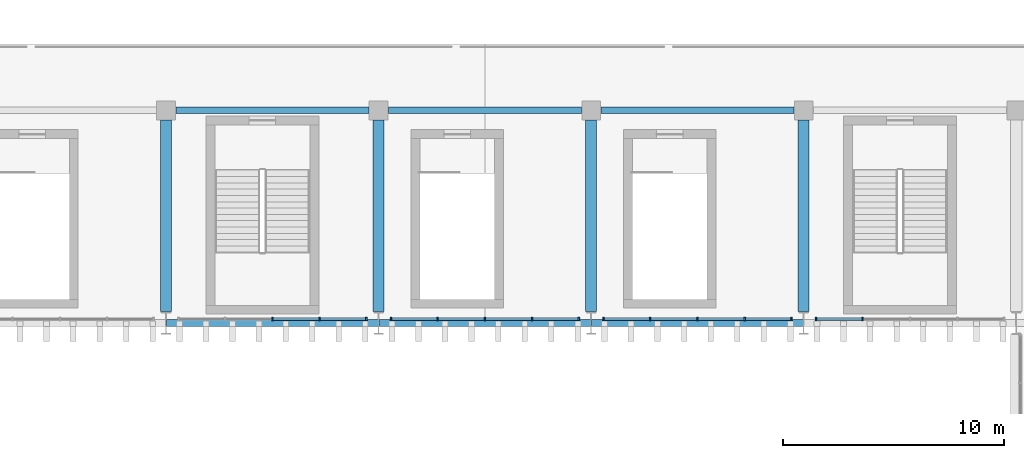
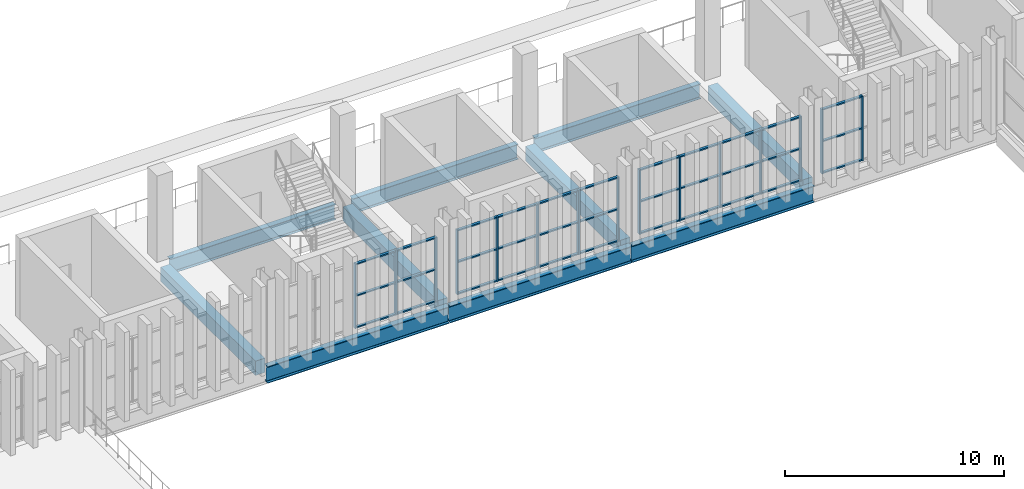
# One storey, part 22 of 99: 48 members, 10 beams, 4 elements without a shape of their own.
"""IFC4 building model written with IfcOpenShell, lengths in metres."""

from ifc_helpers import new_model, si_unit, direction, frame, origin, origin_2d, place, context, subcontext, project, spatial, rectangle, i_section, extrude, material, layer, layer_set, material_profile, profile_set, type_object, element, aggregate, save


model = new_model("IFC4")

# Units and contexts
model_context = context("Model", 3, precision=1e-05, world=origin(), true_north=direction((0.0, 1.0)))
body_context = subcontext(model_context, "Body", "Model", "MODEL_VIEW")
ifc_project = project(units=[si_unit("LENGTHUNIT", "METRE"), si_unit("AREAUNIT", "SQUARE_METRE"), si_unit("VOLUMEUNIT", "CUBIC_METRE"), si_unit("PLANEANGLEUNIT", "RADIAN"), si_unit("MASSUNIT", "GRAM", prefix="KILO")], contexts=[model_context])

# Site, building, storey
site_placement = place(None, origin())
site = spatial("IfcSite", under=ifc_project, at=site_placement, CompositionType="ELEMENT")
building_placement = place(site_placement, origin())
building = spatial("IfcBuilding", under=site, at=building_placement, Name="Caelomonte Colonnade Arena", CompositionType="ELEMENT")
storey_placement = place(building_placement, frame((0.0, 0.0, 4.800048828125)))
storey = spatial("IfcBuildingStorey", under=building, at=storey_placement, Name="L01", CompositionType="ELEMENT", Elevation=4.800048828125)

# Curtain wall, members
ifc_material_1 = material(Name="Bronze anodised aluminium and low-E glazing", Category="aluminium")
ifc_layer = layer(ifc_material_1, 0.179931640625)
ifc_layer_set = layer_set([ifc_layer], Name="Bronze anodised aluminium and low-E glazing")
curtain_wall_type = type_object("IfcCurtainWallType", Name="ENV-CW-CW-L01-96-36", PredefinedType="USERDEFINED", material=ifc_layer_set)
curtain_wall_1_placement = place(storey_placement, origin())
curtain_wall_1 = element("IfcCurtainWall", 1, at=curtain_wall_1_placement, inside=storey, type_object=curtain_wall_type, Name="L01 unitized curtain wall CW-L01-1008-0194", ObjectType="UNITIZED CURTAIN WALL", PredefinedType="USERDEFINED")
ifc_material_2 = material(Name="Bronze anodised aluminium AA6063-T6", Category="aluminium")
ifc_material_profile_1 = material_profile(ifc_material_2, rectangle(XDim=0.070068359375, YDim=0.179931640625, at=origin_2d()), Name="CWM-70X180")
ifc_profile_set_1 = profile_set([ifc_material_profile_1], Name="Bronze anodised aluminium AA6063-T6")
member_type_1 = type_object("IfcMemberType", Name="ENV-CW-MULL1", PredefinedType="MULLION", material=ifc_profile_set_1)
member_1_placement = place(storey_placement, frame((100.800048828125, 19.3798828125, 0.0), z_axis=(0.0, 0.0, 1.0), x_axis=(1.0, 0.0, 0.0)))
member_1 = element("IfcMember", 2, at=member_1_placement, type_object=member_type_1, Name="CW-L01-96-36 mullion 3", PredefinedType="MULLION", context=body_context, shape_type="SweptSolid", body=[
    extrude(rectangle(XDim=0.070068359375, YDim=0.179931640625, at=origin_2d()), origin(), (0.0, 0.0, 1.0), 3.593017578125),
])
member_2_placement = place(storey_placement, frame((102.937255859375, 19.3798828125, 0.0), z_axis=(0.0, 0.0, 1.0), x_axis=(1.0, 0.0, 0.0)))
member_2 = element("IfcMember", 3, at=member_2_placement, type_object=member_type_1, Name="CW-L01-96-36 mullion 4", PredefinedType="MULLION", context=body_context, shape_type="SweptSolid", body=[
    extrude(rectangle(XDim=0.070068359375, YDim=0.179931640625, at=origin_2d()), origin(), (0.0, 0.0, 1.0), 3.593017578125),
])
member_3_placement = place(storey_placement, frame((105.03955078125, 19.3798828125, 0.0), z_axis=(0.0, 0.0, 1.0), x_axis=(1.0, 0.0, 0.0)))
member_3 = element("IfcMember", 4, at=member_3_placement, type_object=member_type_1, Name="CW-L01-96-36 mullion 5", PredefinedType="MULLION", context=body_context, shape_type="SweptSolid", body=[
    extrude(rectangle(XDim=0.070068359375, YDim=0.179931640625, at=origin_2d()), origin(), (0.0, 0.0, 1.0), 3.593017578125),
])

curtain_wall_2_placement = place(storey_placement, origin())
curtain_wall_2 = element("IfcCurtainWall", 5, at=curtain_wall_2_placement, inside=storey, type_object=curtain_wall_type, Name="L01 unitized curtain wall CW-L01-1104-0194", ObjectType="UNITIZED CURTAIN WALL", PredefinedType="USERDEFINED")
member_4_placement = place(storey_placement, frame((106.160400390625, 19.3798828125, 0.0), z_axis=(0.0, 0.0, 1.0), x_axis=(1.0, 0.0, 0.0)))
member_4 = element("IfcMember", 6, at=member_4_placement, type_object=member_type_1, Name="CW-L01-96-36 mullion 1", PredefinedType="MULLION", context=body_context, shape_type="SweptSolid", body=[
    extrude(rectangle(XDim=0.070068359375, YDim=0.179931640625, at=origin_2d()), origin(), (0.0, 0.0, 1.0), 3.593017578125),
])
member_5_placement = place(storey_placement, frame((108.2626953125, 19.3798828125, 0.0), z_axis=(0.0, 0.0, 1.0), x_axis=(1.0, 0.0, 0.0)))
member_5 = element("IfcMember", 7, at=member_5_placement, type_object=member_type_1, Name="CW-L01-96-36 mullion 2", PredefinedType="MULLION", context=body_context, shape_type="SweptSolid", body=[
    extrude(rectangle(XDim=0.070068359375, YDim=0.179931640625, at=origin_2d()), origin(), (0.0, 0.0, 1.0), 3.593017578125),
])
member_6_placement = place(storey_placement, frame((110.39990234375, 19.3798828125, 0.0), z_axis=(0.0, 0.0, 1.0), x_axis=(1.0, 0.0, 0.0)))
member_6 = element("IfcMember", 8, at=member_6_placement, type_object=member_type_1, Name="CW-L01-96-36 mullion 3", PredefinedType="MULLION", context=body_context, shape_type="SweptSolid", body=[
    extrude(rectangle(XDim=0.070068359375, YDim=0.179931640625, at=origin_2d()), origin(), (0.0, 0.0, 1.0), 3.593017578125),
])
member_7_placement = place(storey_placement, frame((112.537353515625, 19.3798828125, 0.0), z_axis=(0.0, 0.0, 1.0), x_axis=(1.0, 0.0, 0.0)))
member_7 = element("IfcMember", 9, at=member_7_placement, type_object=member_type_1, Name="CW-L01-96-36 mullion 4", PredefinedType="MULLION", context=body_context, shape_type="SweptSolid", body=[
    extrude(rectangle(XDim=0.070068359375, YDim=0.179931640625, at=origin_2d()), origin(), (0.0, 0.0, 1.0), 3.593017578125),
])
member_8_placement = place(storey_placement, frame((114.639404296875, 19.3798828125, 0.0), z_axis=(0.0, 0.0, 1.0), x_axis=(1.0, 0.0, 0.0)))
member_8 = element("IfcMember", 10, at=member_8_placement, type_object=member_type_1, Name="CW-L01-96-36 mullion 5", PredefinedType="MULLION", context=body_context, shape_type="SweptSolid", body=[
    extrude(rectangle(XDim=0.070068359375, YDim=0.179931640625, at=origin_2d()), origin(), (0.0, 0.0, 1.0), 3.593017578125),
])

curtain_wall_3_placement = place(storey_placement, origin())
curtain_wall_3 = element("IfcCurtainWall", 11, at=curtain_wall_3_placement, inside=storey, type_object=curtain_wall_type, Name="L01 unitized curtain wall CW-L01-1200-0194", ObjectType="UNITIZED CURTAIN WALL", PredefinedType="USERDEFINED")
member_9_placement = place(storey_placement, frame((115.760498046875, 19.3798828125, 0.0), z_axis=(0.0, 0.0, 1.0), x_axis=(1.0, 0.0, 0.0)))
member_9 = element("IfcMember", 12, at=member_9_placement, type_object=member_type_1, Name="CW-L01-96-36 mullion 1", PredefinedType="MULLION", context=body_context, shape_type="SweptSolid", body=[
    extrude(rectangle(XDim=0.070068359375, YDim=0.179931640625, at=origin_2d()), origin(), (0.0, 0.0, 1.0), 3.593017578125),
])
member_10_placement = place(storey_placement, frame((117.86279296875, 19.3798828125, 0.0), z_axis=(0.0, 0.0, 1.0), x_axis=(1.0, 0.0, 0.0)))
member_10 = element("IfcMember", 13, at=member_10_placement, type_object=member_type_1, Name="CW-L01-96-36 mullion 2", PredefinedType="MULLION", context=body_context, shape_type="SweptSolid", body=[
    extrude(rectangle(XDim=0.070068359375, YDim=0.179931640625, at=origin_2d()), origin(), (0.0, 0.0, 1.0), 3.593017578125),
])
member_11_placement = place(storey_placement, frame((120.0, 19.3798828125, 0.0), z_axis=(0.0, 0.0, 1.0), x_axis=(1.0, 0.0, 0.0)))
member_11 = element("IfcMember", 14, at=member_11_placement, type_object=member_type_1, Name="CW-L01-96-36 mullion 3", PredefinedType="MULLION", context=body_context, shape_type="SweptSolid", body=[
    extrude(rectangle(XDim=0.070068359375, YDim=0.179931640625, at=origin_2d()), origin(), (0.0, 0.0, 1.0), 3.593017578125),
])
member_12_placement = place(storey_placement, frame((122.13720703125, 19.3798828125, 0.0), z_axis=(0.0, 0.0, 1.0), x_axis=(1.0, 0.0, 0.0)))
member_12 = element("IfcMember", 15, at=member_12_placement, type_object=member_type_1, Name="CW-L01-96-36 mullion 4", PredefinedType="MULLION", context=body_context, shape_type="SweptSolid", body=[
    extrude(rectangle(XDim=0.070068359375, YDim=0.179931640625, at=origin_2d()), origin(), (0.0, 0.0, 1.0), 3.593017578125),
])
member_13_placement = place(storey_placement, frame((124.239501953125, 19.3798828125, 0.0), z_axis=(0.0, 0.0, 1.0), x_axis=(1.0, 0.0, 0.0)))
member_13 = element("IfcMember", 16, at=member_13_placement, type_object=member_type_1, Name="CW-L01-96-36 mullion 5", PredefinedType="MULLION", context=body_context, shape_type="SweptSolid", body=[
    extrude(rectangle(XDim=0.070068359375, YDim=0.179931640625, at=origin_2d()), origin(), (0.0, 0.0, 1.0), 3.593017578125),
])

curtain_wall_4_placement = place(storey_placement, origin())
curtain_wall_4 = element("IfcCurtainWall", 17, at=curtain_wall_4_placement, inside=storey, type_object=curtain_wall_type, Name="L01 unitized curtain wall CW-L01-1296-0194", ObjectType="UNITIZED CURTAIN WALL", PredefinedType="USERDEFINED")
member_14_placement = place(storey_placement, frame((125.360595703125, 19.3798828125, 0.0), z_axis=(0.0, 0.0, 1.0), x_axis=(1.0, 0.0, 0.0)))
member_14 = element("IfcMember", 18, at=member_14_placement, type_object=member_type_1, Name="CW-L01-96-36 mullion 1", PredefinedType="MULLION", context=body_context, shape_type="SweptSolid", body=[
    extrude(rectangle(XDim=0.070068359375, YDim=0.179931640625, at=origin_2d()), origin(), (0.0, 0.0, 1.0), 3.593017578125),
])
member_15_placement = place(storey_placement, frame((127.462646484375, 19.3798828125, 0.0), z_axis=(0.0, 0.0, 1.0), x_axis=(1.0, 0.0, 0.0)))
member_15 = element("IfcMember", 19, at=member_15_placement, type_object=member_type_1, Name="CW-L01-96-36 mullion 2", PredefinedType="MULLION", context=body_context, shape_type="SweptSolid", body=[
    extrude(rectangle(XDim=0.070068359375, YDim=0.179931640625, at=origin_2d()), origin(), (0.0, 0.0, 1.0), 3.593017578125),
])

# Member
ifc_material_profile_2 = material_profile(ifc_material_2, rectangle(XDim=0.070068359375, YDim=0.139892578125, at=origin_2d()), Name="CWT-70X140")
ifc_profile_set_2 = profile_set([ifc_material_profile_2], Name="Bronze anodised aluminium AA6063-T6")
member_type_2 = type_object("IfcMemberType", Name="ENV-CW-TRAN1", PredefinedType="USERDEFINED", material=ifc_profile_set_2)
member_16_placement = place(storey_placement, frame((100.8349609375, 19.3798828125, 0.034912109375), z_axis=(1.0, 0.0, 0.0), x_axis=(0.0, 0.0, 1.0)))
member_16 = element("IfcMember", 20, at=member_16_placement, type_object=member_type_2, Name="CW-L01-96-36 transom 3.1", ObjectType="TRANSOM", PredefinedType="USERDEFINED", context=body_context, shape_type="SweptSolid", body=[
    extrude(rectangle(XDim=0.070068359375, YDim=0.139892578125, at=origin_2d()), origin(), (0.0, 0.0, 1.0), 2.0673828125),
])

member_17_placement = place(storey_placement, frame((100.8349609375, 19.3798828125, 1.79638671875), z_axis=(1.0, 0.0, 0.0), x_axis=(0.0, 0.0, 1.0)))
member_17 = element("IfcMember", 21, at=member_17_placement, type_object=member_type_2, Name="CW-L01-96-36 transom 3.2", ObjectType="TRANSOM", PredefinedType="USERDEFINED", context=body_context, shape_type="SweptSolid", body=[
    extrude(rectangle(XDim=0.070068359375, YDim=0.139892578125, at=origin_2d()), origin(), (0.0, 0.0, 1.0), 2.0673828125),
])

member_18_placement = place(storey_placement, frame((100.8349609375, 19.3798828125, 3.557861328125), z_axis=(1.0, 0.0, 0.0), x_axis=(0.0, 0.0, 1.0)))
member_18 = element("IfcMember", 22, at=member_18_placement, type_object=member_type_2, Name="CW-L01-96-36 transom 3.3", ObjectType="TRANSOM", PredefinedType="USERDEFINED", context=body_context, shape_type="SweptSolid", body=[
    extrude(rectangle(XDim=0.070068359375, YDim=0.139892578125, at=origin_2d()), origin(), (0.0, 0.0, 1.0), 2.0673828125),
])

member_19_placement = place(storey_placement, frame((102.97216796875, 19.3798828125, 0.034912109375), z_axis=(1.0, 0.0, 0.0), x_axis=(0.0, 0.0, 1.0)))
member_19 = element("IfcMember", 23, at=member_19_placement, type_object=member_type_2, Name="CW-L01-96-36 transom 4.1", ObjectType="TRANSOM", PredefinedType="USERDEFINED", context=body_context, shape_type="SweptSolid", body=[
    extrude(rectangle(XDim=0.070068359375, YDim=0.139892578125, at=origin_2d()), origin(), (0.0, 0.0, 1.0), 2.0322265625),
])

member_20_placement = place(storey_placement, frame((102.97216796875, 19.3798828125, 1.79638671875), z_axis=(1.0, 0.0, 0.0), x_axis=(0.0, 0.0, 1.0)))
member_20 = element("IfcMember", 24, at=member_20_placement, type_object=member_type_2, Name="CW-L01-96-36 transom 4.2", ObjectType="TRANSOM", PredefinedType="USERDEFINED", context=body_context, shape_type="SweptSolid", body=[
    extrude(rectangle(XDim=0.070068359375, YDim=0.139892578125, at=origin_2d()), origin(), (0.0, 0.0, 1.0), 2.0322265625),
])

member_21_placement = place(storey_placement, frame((102.97216796875, 19.3798828125, 3.557861328125), z_axis=(1.0, 0.0, 0.0), x_axis=(0.0, 0.0, 1.0)))
member_21 = element("IfcMember", 25, at=member_21_placement, type_object=member_type_2, Name="CW-L01-96-36 transom 4.3", ObjectType="TRANSOM", PredefinedType="USERDEFINED", context=body_context, shape_type="SweptSolid", body=[
    extrude(rectangle(XDim=0.070068359375, YDim=0.139892578125, at=origin_2d()), origin(), (0.0, 0.0, 1.0), 2.0322265625),
])

aggregate(curtain_wall_1, [member_1, member_2, member_3, member_16, member_17, member_18, member_19, member_20, member_21])

member_22_placement = place(storey_placement, frame((106.195556640625, 19.3798828125, 0.034912109375), z_axis=(1.0, 0.0, 0.0), x_axis=(0.0, 0.0, 1.0)))
member_22 = element("IfcMember", 26, at=member_22_placement, type_object=member_type_2, Name="CW-L01-96-36 transom 1.1", ObjectType="TRANSOM", PredefinedType="USERDEFINED", context=body_context, shape_type="SweptSolid", body=[
    extrude(rectangle(XDim=0.070068359375, YDim=0.139892578125, at=origin_2d()), origin(), (0.0, 0.0, 1.0), 2.0322265625),
])

member_23_placement = place(storey_placement, frame((106.195556640625, 19.3798828125, 1.79638671875), z_axis=(1.0, 0.0, 0.0), x_axis=(0.0, 0.0, 1.0)))
member_23 = element("IfcMember", 27, at=member_23_placement, type_object=member_type_2, Name="CW-L01-96-36 transom 1.2", ObjectType="TRANSOM", PredefinedType="USERDEFINED", context=body_context, shape_type="SweptSolid", body=[
    extrude(rectangle(XDim=0.070068359375, YDim=0.139892578125, at=origin_2d()), origin(), (0.0, 0.0, 1.0), 2.0322265625),
])

member_24_placement = place(storey_placement, frame((106.195556640625, 19.3798828125, 3.557861328125), z_axis=(1.0, 0.0, 0.0), x_axis=(0.0, 0.0, 1.0)))
member_24 = element("IfcMember", 28, at=member_24_placement, type_object=member_type_2, Name="CW-L01-96-36 transom 1.3", ObjectType="TRANSOM", PredefinedType="USERDEFINED", context=body_context, shape_type="SweptSolid", body=[
    extrude(rectangle(XDim=0.070068359375, YDim=0.139892578125, at=origin_2d()), origin(), (0.0, 0.0, 1.0), 2.0322265625),
])

member_25_placement = place(storey_placement, frame((108.2978515625, 19.3798828125, 0.034912109375), z_axis=(1.0, 0.0, 0.0), x_axis=(0.0, 0.0, 1.0)))
member_25 = element("IfcMember", 29, at=member_25_placement, type_object=member_type_2, Name="CW-L01-96-36 transom 2.1", ObjectType="TRANSOM", PredefinedType="USERDEFINED", context=body_context, shape_type="SweptSolid", body=[
    extrude(rectangle(XDim=0.070068359375, YDim=0.139892578125, at=origin_2d()), origin(), (0.0, 0.0, 1.0), 2.067138671875),
])

member_26_placement = place(storey_placement, frame((108.2978515625, 19.3798828125, 1.79638671875), z_axis=(1.0, 0.0, 0.0), x_axis=(0.0, 0.0, 1.0)))
member_26 = element("IfcMember", 30, at=member_26_placement, type_object=member_type_2, Name="CW-L01-96-36 transom 2.2", ObjectType="TRANSOM", PredefinedType="USERDEFINED", context=body_context, shape_type="SweptSolid", body=[
    extrude(rectangle(XDim=0.070068359375, YDim=0.139892578125, at=origin_2d()), origin(), (0.0, 0.0, 1.0), 2.067138671875),
])

member_27_placement = place(storey_placement, frame((108.2978515625, 19.3798828125, 3.557861328125), z_axis=(1.0, 0.0, 0.0), x_axis=(0.0, 0.0, 1.0)))
member_27 = element("IfcMember", 31, at=member_27_placement, type_object=member_type_2, Name="CW-L01-96-36 transom 2.3", ObjectType="TRANSOM", PredefinedType="USERDEFINED", context=body_context, shape_type="SweptSolid", body=[
    extrude(rectangle(XDim=0.070068359375, YDim=0.139892578125, at=origin_2d()), origin(), (0.0, 0.0, 1.0), 2.067138671875),
])

member_28_placement = place(storey_placement, frame((110.43505859375, 19.3798828125, 0.034912109375), z_axis=(1.0, 0.0, 0.0), x_axis=(0.0, 0.0, 1.0)))
member_28 = element("IfcMember", 32, at=member_28_placement, type_object=member_type_2, Name="CW-L01-96-36 transom 3.1", ObjectType="TRANSOM", PredefinedType="USERDEFINED", context=body_context, shape_type="SweptSolid", body=[
    extrude(rectangle(XDim=0.070068359375, YDim=0.139892578125, at=origin_2d()), origin(), (0.0, 0.0, 1.0), 2.067138671875),
])

member_29_placement = place(storey_placement, frame((110.43505859375, 19.3798828125, 1.79638671875), z_axis=(1.0, 0.0, 0.0), x_axis=(0.0, 0.0, 1.0)))
member_29 = element("IfcMember", 33, at=member_29_placement, type_object=member_type_2, Name="CW-L01-96-36 transom 3.2", ObjectType="TRANSOM", PredefinedType="USERDEFINED", context=body_context, shape_type="SweptSolid", body=[
    extrude(rectangle(XDim=0.070068359375, YDim=0.139892578125, at=origin_2d()), origin(), (0.0, 0.0, 1.0), 2.067138671875),
])

member_30_placement = place(storey_placement, frame((110.43505859375, 19.3798828125, 3.557861328125), z_axis=(1.0, 0.0, 0.0), x_axis=(0.0, 0.0, 1.0)))
member_30 = element("IfcMember", 34, at=member_30_placement, type_object=member_type_2, Name="CW-L01-96-36 transom 3.3", ObjectType="TRANSOM", PredefinedType="USERDEFINED", context=body_context, shape_type="SweptSolid", body=[
    extrude(rectangle(XDim=0.070068359375, YDim=0.139892578125, at=origin_2d()), origin(), (0.0, 0.0, 1.0), 2.067138671875),
])

member_31_placement = place(storey_placement, frame((112.572265625, 19.3798828125, 0.034912109375), z_axis=(1.0, 0.0, 0.0), x_axis=(0.0, 0.0, 1.0)))
member_31 = element("IfcMember", 35, at=member_31_placement, type_object=member_type_2, Name="CW-L01-96-36 transom 4.1", ObjectType="TRANSOM", PredefinedType="USERDEFINED", context=body_context, shape_type="SweptSolid", body=[
    extrude(rectangle(XDim=0.070068359375, YDim=0.139892578125, at=origin_2d()), origin(), (0.0, 0.0, 1.0), 2.0322265625),
])

member_32_placement = place(storey_placement, frame((112.572265625, 19.3798828125, 1.79638671875), z_axis=(1.0, 0.0, 0.0), x_axis=(0.0, 0.0, 1.0)))
member_32 = element("IfcMember", 36, at=member_32_placement, type_object=member_type_2, Name="CW-L01-96-36 transom 4.2", ObjectType="TRANSOM", PredefinedType="USERDEFINED", context=body_context, shape_type="SweptSolid", body=[
    extrude(rectangle(XDim=0.070068359375, YDim=0.139892578125, at=origin_2d()), origin(), (0.0, 0.0, 1.0), 2.0322265625),
])

member_33_placement = place(storey_placement, frame((112.572265625, 19.3798828125, 3.557861328125), z_axis=(1.0, 0.0, 0.0), x_axis=(0.0, 0.0, 1.0)))
member_33 = element("IfcMember", 37, at=member_33_placement, type_object=member_type_2, Name="CW-L01-96-36 transom 4.3", ObjectType="TRANSOM", PredefinedType="USERDEFINED", context=body_context, shape_type="SweptSolid", body=[
    extrude(rectangle(XDim=0.070068359375, YDim=0.139892578125, at=origin_2d()), origin(), (0.0, 0.0, 1.0), 2.0322265625),
])

aggregate(curtain_wall_2, [member_4, member_5, member_6, member_7, member_8, member_22, member_23, member_24, member_25, member_26, member_27, member_28, member_29, member_30, member_31, member_32, member_33])

member_34_placement = place(storey_placement, frame((115.79541015625, 19.3798828125, 0.034912109375), z_axis=(1.0, 0.0, 0.0), x_axis=(0.0, 0.0, 1.0)))
member_34 = element("IfcMember", 38, at=member_34_placement, type_object=member_type_2, Name="CW-L01-96-36 transom 1.1", ObjectType="TRANSOM", PredefinedType="USERDEFINED", context=body_context, shape_type="SweptSolid", body=[
    extrude(rectangle(XDim=0.070068359375, YDim=0.139892578125, at=origin_2d()), origin(), (0.0, 0.0, 1.0), 2.0322265625),
])

member_35_placement = place(storey_placement, frame((115.79541015625, 19.3798828125, 1.79638671875), z_axis=(1.0, 0.0, 0.0), x_axis=(0.0, 0.0, 1.0)))
member_35 = element("IfcMember", 39, at=member_35_placement, type_object=member_type_2, Name="CW-L01-96-36 transom 1.2", ObjectType="TRANSOM", PredefinedType="USERDEFINED", context=body_context, shape_type="SweptSolid", body=[
    extrude(rectangle(XDim=0.070068359375, YDim=0.139892578125, at=origin_2d()), origin(), (0.0, 0.0, 1.0), 2.0322265625),
])

member_36_placement = place(storey_placement, frame((115.79541015625, 19.3798828125, 3.557861328125), z_axis=(1.0, 0.0, 0.0), x_axis=(0.0, 0.0, 1.0)))
member_36 = element("IfcMember", 40, at=member_36_placement, type_object=member_type_2, Name="CW-L01-96-36 transom 1.3", ObjectType="TRANSOM", PredefinedType="USERDEFINED", context=body_context, shape_type="SweptSolid", body=[
    extrude(rectangle(XDim=0.070068359375, YDim=0.139892578125, at=origin_2d()), origin(), (0.0, 0.0, 1.0), 2.0322265625),
])

member_37_placement = place(storey_placement, frame((117.897705078125, 19.3798828125, 0.034912109375), z_axis=(1.0, 0.0, 0.0), x_axis=(0.0, 0.0, 1.0)))
member_37 = element("IfcMember", 41, at=member_37_placement, type_object=member_type_2, Name="CW-L01-96-36 transom 2.1", ObjectType="TRANSOM", PredefinedType="USERDEFINED", context=body_context, shape_type="SweptSolid", body=[
    extrude(rectangle(XDim=0.070068359375, YDim=0.139892578125, at=origin_2d()), origin(), (0.0, 0.0, 1.0), 2.0673828125),
])

member_38_placement = place(storey_placement, frame((117.897705078125, 19.3798828125, 1.79638671875), z_axis=(1.0, 0.0, 0.0), x_axis=(0.0, 0.0, 1.0)))
member_38 = element("IfcMember", 42, at=member_38_placement, type_object=member_type_2, Name="CW-L01-96-36 transom 2.2", ObjectType="TRANSOM", PredefinedType="USERDEFINED", context=body_context, shape_type="SweptSolid", body=[
    extrude(rectangle(XDim=0.070068359375, YDim=0.139892578125, at=origin_2d()), origin(), (0.0, 0.0, 1.0), 2.0673828125),
])

member_39_placement = place(storey_placement, frame((117.897705078125, 19.3798828125, 3.557861328125), z_axis=(1.0, 0.0, 0.0), x_axis=(0.0, 0.0, 1.0)))
member_39 = element("IfcMember", 43, at=member_39_placement, type_object=member_type_2, Name="CW-L01-96-36 transom 2.3", ObjectType="TRANSOM", PredefinedType="USERDEFINED", context=body_context, shape_type="SweptSolid", body=[
    extrude(rectangle(XDim=0.070068359375, YDim=0.139892578125, at=origin_2d()), origin(), (0.0, 0.0, 1.0), 2.0673828125),
])

member_40_placement = place(storey_placement, frame((120.034912109375, 19.3798828125, 0.034912109375), z_axis=(1.0, 0.0, 0.0), x_axis=(0.0, 0.0, 1.0)))
member_40 = element("IfcMember", 44, at=member_40_placement, type_object=member_type_2, Name="CW-L01-96-36 transom 3.1", ObjectType="TRANSOM", PredefinedType="USERDEFINED", context=body_context, shape_type="SweptSolid", body=[
    extrude(rectangle(XDim=0.070068359375, YDim=0.139892578125, at=origin_2d()), origin(), (0.0, 0.0, 1.0), 2.0673828125),
])

member_41_placement = place(storey_placement, frame((120.034912109375, 19.3798828125, 1.79638671875), z_axis=(1.0, 0.0, 0.0), x_axis=(0.0, 0.0, 1.0)))
member_41 = element("IfcMember", 45, at=member_41_placement, type_object=member_type_2, Name="CW-L01-96-36 transom 3.2", ObjectType="TRANSOM", PredefinedType="USERDEFINED", context=body_context, shape_type="SweptSolid", body=[
    extrude(rectangle(XDim=0.070068359375, YDim=0.139892578125, at=origin_2d()), origin(), (0.0, 0.0, 1.0), 2.0673828125),
])

member_42_placement = place(storey_placement, frame((120.034912109375, 19.3798828125, 3.557861328125), z_axis=(1.0, 0.0, 0.0), x_axis=(0.0, 0.0, 1.0)))
member_42 = element("IfcMember", 46, at=member_42_placement, type_object=member_type_2, Name="CW-L01-96-36 transom 3.3", ObjectType="TRANSOM", PredefinedType="USERDEFINED", context=body_context, shape_type="SweptSolid", body=[
    extrude(rectangle(XDim=0.070068359375, YDim=0.139892578125, at=origin_2d()), origin(), (0.0, 0.0, 1.0), 2.0673828125),
])

member_43_placement = place(storey_placement, frame((122.17236328125, 19.3798828125, 0.034912109375), z_axis=(1.0, 0.0, 0.0), x_axis=(0.0, 0.0, 1.0)))
member_43 = element("IfcMember", 47, at=member_43_placement, type_object=member_type_2, Name="CW-L01-96-36 transom 4.1", ObjectType="TRANSOM", PredefinedType="USERDEFINED", context=body_context, shape_type="SweptSolid", body=[
    extrude(rectangle(XDim=0.070068359375, YDim=0.139892578125, at=origin_2d()), origin(), (0.0, 0.0, 1.0), 2.0322265625),
])

member_44_placement = place(storey_placement, frame((122.17236328125, 19.3798828125, 1.79638671875), z_axis=(1.0, 0.0, 0.0), x_axis=(0.0, 0.0, 1.0)))
member_44 = element("IfcMember", 48, at=member_44_placement, type_object=member_type_2, Name="CW-L01-96-36 transom 4.2", ObjectType="TRANSOM", PredefinedType="USERDEFINED", context=body_context, shape_type="SweptSolid", body=[
    extrude(rectangle(XDim=0.070068359375, YDim=0.139892578125, at=origin_2d()), origin(), (0.0, 0.0, 1.0), 2.0322265625),
])

member_45_placement = place(storey_placement, frame((122.17236328125, 19.3798828125, 3.557861328125), z_axis=(1.0, 0.0, 0.0), x_axis=(0.0, 0.0, 1.0)))
member_45 = element("IfcMember", 49, at=member_45_placement, type_object=member_type_2, Name="CW-L01-96-36 transom 4.3", ObjectType="TRANSOM", PredefinedType="USERDEFINED", context=body_context, shape_type="SweptSolid", body=[
    extrude(rectangle(XDim=0.070068359375, YDim=0.139892578125, at=origin_2d()), origin(), (0.0, 0.0, 1.0), 2.0322265625),
])

aggregate(curtain_wall_3, [member_9, member_10, member_11, member_12, member_13, member_34, member_35, member_36, member_37, member_38, member_39, member_40, member_41, member_42, member_43, member_44, member_45])

member_46_placement = place(storey_placement, frame((125.3955078125, 19.3798828125, 0.034912109375), z_axis=(1.0, 0.0, 0.0), x_axis=(0.0, 0.0, 1.0)))
member_46 = element("IfcMember", 50, at=member_46_placement, type_object=member_type_2, Name="CW-L01-96-36 transom 1.1", ObjectType="TRANSOM", PredefinedType="USERDEFINED", context=body_context, shape_type="SweptSolid", body=[
    extrude(rectangle(XDim=0.070068359375, YDim=0.139892578125, at=origin_2d()), origin(), (0.0, 0.0, 1.0), 2.0322265625),
])

member_47_placement = place(storey_placement, frame((125.3955078125, 19.3798828125, 1.79638671875), z_axis=(1.0, 0.0, 0.0), x_axis=(0.0, 0.0, 1.0)))
member_47 = element("IfcMember", 51, at=member_47_placement, type_object=member_type_2, Name="CW-L01-96-36 transom 1.2", ObjectType="TRANSOM", PredefinedType="USERDEFINED", context=body_context, shape_type="SweptSolid", body=[
    extrude(rectangle(XDim=0.070068359375, YDim=0.139892578125, at=origin_2d()), origin(), (0.0, 0.0, 1.0), 2.0322265625),
])

member_48_placement = place(storey_placement, frame((125.3955078125, 19.3798828125, 3.557861328125), z_axis=(1.0, 0.0, 0.0), x_axis=(0.0, 0.0, 1.0)))
member_48 = element("IfcMember", 52, at=member_48_placement, type_object=member_type_2, Name="CW-L01-96-36 transom 1.3", ObjectType="TRANSOM", PredefinedType="USERDEFINED", context=body_context, shape_type="SweptSolid", body=[
    extrude(rectangle(XDim=0.070068359375, YDim=0.139892578125, at=origin_2d()), origin(), (0.0, 0.0, 1.0), 2.0322265625),
])

aggregate(curtain_wall_4, [member_14, member_15, member_46, member_47, member_48])

# Beams
ifc_material_3 = material(Name="Wide-flange steel ASTM A992 Grade 50", Category="steel")
ifc_material_profile_3 = material_profile(ifc_material_3, i_section(OverallWidth=0.307861328125, OverallDepth=0.927001953125, WebThickness=0.019287109375, FlangeThickness=0.031982421875, FilletRadius=0.020263671875, at=origin_2d()), Name="W36X194")
ifc_profile_set_3 = profile_set([ifc_material_profile_3], Name="Wide-flange steel ASTM A992 Grade 50")
beam_type_1 = type_object("IfcBeamType", Name="STR-BM-EAVES2", PredefinedType="SPANDREL", material=ifc_profile_set_3)
for number, where, z_axis, x_axis, name in (
    (53, (96.015380859375, 19.199951171875, -0.763427734375), (1.0, 0.0, 0.0), (0.0, 1.0, 0.0), "L01 girder BMX-L01-0960-0192"),
    (54, (105.615478515625, 19.199951171875, -0.763427734375), (1.0, 0.0, 0.0), (0.0, 1.0, 0.0), "L01 girder BMX-L01-1056-0192"),
):
    element("IfcBeam", number, at=place(storey_placement, frame(where, z_axis=z_axis, x_axis=x_axis)), inside=storey, type_object=beam_type_1, Name=name, PredefinedType="SPANDREL", context=body_context, shape_type="SweptSolid", body=[
        extrude(i_section(OverallWidth=0.307861328125, OverallDepth=0.927001953125, WebThickness=0.019287109375, FlangeThickness=0.031982421875, FilletRadius=0.020263671875, at=origin_2d()), origin(), (0.0, 0.0, 1.0), 9.569091796875),
    ])
beam_1_placement = place(storey_placement, frame((115.215576171875, 19.199951171875, -0.763427734375), z_axis=(1.0, 0.0, 0.0), x_axis=(0.0, 1.0, 0.0)))
element("IfcBeam", 55, at=beam_1_placement, inside=storey, type_object=beam_type_1, Name="L01 girder BMX-L01-1152-0192", PredefinedType="SPANDREL", context=body_context, shape_type="SweptSolid", body=[
    extrude(i_section(OverallWidth=0.307861328125, OverallDepth=0.927001953125, WebThickness=0.019287109375, FlangeThickness=0.031982421875, FilletRadius=0.020263671875, at=origin_2d()), origin(), (0.0, 0.0, 1.0), 9.56884765625),
])
ifc_material_profile_4 = material_profile(ifc_material_3, i_section(OverallWidth=0.2919921875, OverallDepth=0.835693359375, WebThickness=0.013916015625, FlangeThickness=0.018798828125, FilletRadius=0.017822265625, at=origin_2d()), Name="W33X118")
ifc_profile_set_4 = profile_set([ifc_material_profile_4], Name="Wide-flange steel ASTM A992 Grade 50")
beam_type_2 = type_object("IfcBeamType", Name="STR-BM-GIRD33B", PredefinedType="BEAM", material=ifc_profile_set_4)
for number, where, z_axis, x_axis, name in (
    (56, (96.44189453125, 28.800048828125, -0.7177734375), (1.0, 0.0, 0.0), (0.0, 1.0, 0.0), "L01 girder BMX-L01-0960-0288"),
    (57, (106.0419921875, 28.800048828125, -0.7177734375), (1.0, 0.0, 0.0), (0.0, 1.0, 0.0), "L01 girder BMX-L01-1056-0288"),
):
    element("IfcBeam", number, at=place(storey_placement, frame(where, z_axis=z_axis, x_axis=x_axis)), inside=storey, type_object=beam_type_2, Name=name, PredefinedType="BEAM", context=body_context, shape_type="SweptSolid", body=[
        extrude(i_section(OverallWidth=0.2919921875, OverallDepth=0.835693359375, WebThickness=0.013916015625, FlangeThickness=0.018798828125, FilletRadius=0.017822265625, at=origin_2d()), origin(), (0.0, 0.0, 1.0), 8.716064453125),
    ])
beam_2_placement = place(storey_placement, frame((115.64208984375, 28.800048828125, -0.7177734375), z_axis=(1.0, 0.0, 0.0), x_axis=(0.0, 1.0, 0.0)))
element("IfcBeam", 58, at=beam_2_placement, inside=storey, type_object=beam_type_2, Name="L01 girder BMX-L01-1152-0288", PredefinedType="BEAM", context=body_context, shape_type="SweptSolid", body=[
    extrude(i_section(OverallWidth=0.2919921875, OverallDepth=0.835693359375, WebThickness=0.013916015625, FlangeThickness=0.018798828125, FilletRadius=0.017822265625, at=origin_2d()), origin(), (0.0, 0.0, 1.0), 8.7158203125),
])
ifc_material_4 = material(Name="Concrete C40/50", Category="concrete")
ifc_material_profile_5 = material_profile(ifc_material_4, rectangle(XDim=0.5, YDim=0.800048828125, at=origin_2d()), Name="RC500X800")
ifc_profile_set_5 = profile_set([ifc_material_profile_5], Name="Concrete C40/50")
beam_type_3 = type_object("IfcBeamType", Name="STR-BM-RC50", PredefinedType="BEAM", material=ifc_profile_set_5)
for number, where, z_axis, x_axis, name in (
    (59, (96.0, 19.712646484375, -0.699951171875), (0.0, 1.0, 0.0), (-1.0, 0.0, 0.0), "L01 girder BMY-L01-0960-0192"),
    (60, (105.60009765625, 19.712646484375, -0.699951171875), (0.0, 1.0, 0.0), (-1.0, 0.0, 0.0), "L01 girder BMY-L01-1056-0192"),
    (61, (115.199951171875, 19.712646484375, -0.699951171875), (0.0, 1.0, 0.0), (-1.0, 0.0, 0.0), "L01 girder BMY-L01-1152-0192"),
    (62, (124.800048828125, 19.712646484375, -0.699951171875), (0.0, 1.0, 0.0), (-1.0, 0.0, 0.0), "L01 girder BMY-L01-1248-0192"),
):
    element("IfcBeam", number, at=place(storey_placement, frame(where, z_axis=z_axis, x_axis=x_axis)), inside=storey, type_object=beam_type_3, Name=name, PredefinedType="BEAM", context=body_context, shape_type="SweptSolid", body=[
        extrude(rectangle(XDim=0.5, YDim=0.800048828125, at=origin_2d()), origin(), (0.0, 0.0, 1.0), 8.645263671875),
    ])

save(model, "model.ifc")
